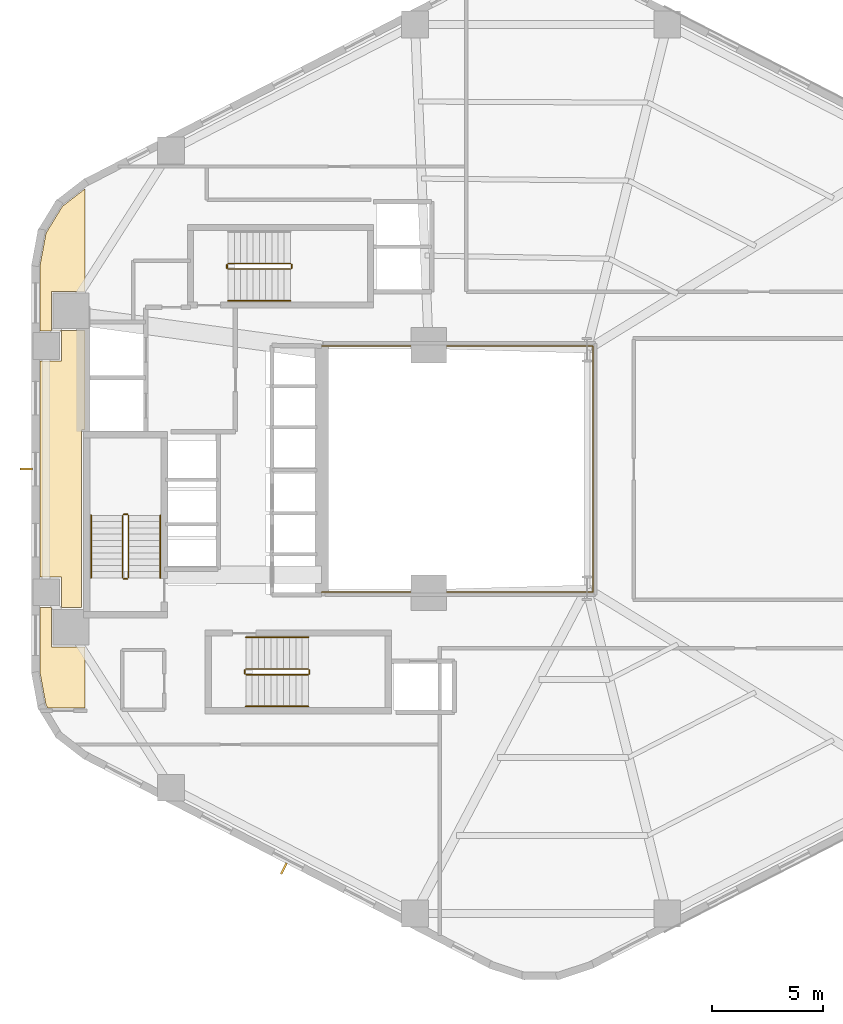
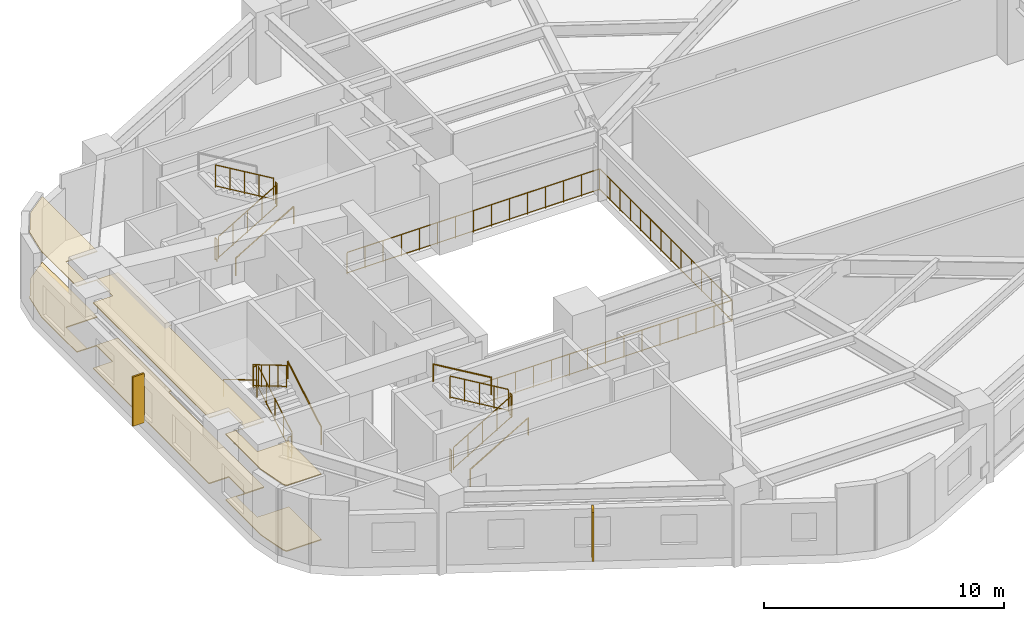
# One storey, part 6 of 7: 18 railings, 2 coverings, 2 shading devices.
"""IFC4 building model written with IfcOpenShell, lengths in metres."""

from ifc_helpers import new_model, si_unit, direction, frame, origin, origin_2d, place, context, subcontext, project, spatial, polyline, rectangle, circle, outline, extrude, material, layer, layer_set, type_object, element, save


model = new_model("IFC4")

# Units and contexts
model_context = context("Model", 3, precision=1e-05, world=origin(), true_north=direction((0.0, 1.0)))
body_context = subcontext(model_context, "Body", "Model", "MODEL_VIEW")
ifc_project = project(units=[si_unit("LENGTHUNIT", "METRE"), si_unit("AREAUNIT", "SQUARE_METRE"), si_unit("VOLUMEUNIT", "CUBIC_METRE"), si_unit("PLANEANGLEUNIT", "RADIAN"), si_unit("MASSUNIT", "GRAM", prefix="KILO"), si_unit("THERMODYNAMICTEMPERATUREUNIT", "KELVIN"), si_unit("POWERUNIT", "WATT")], contexts=[model_context])

# Site, building, storey
site_placement = place(None, origin())
site = spatial("IfcSite", under=ifc_project, at=site_placement, CompositionType="ELEMENT")
building_placement = place(site_placement, origin())
building = spatial("IfcBuilding", under=site, at=building_placement, Name="Skarre Station Tower", CompositionType="ELEMENT")
storey_placement = place(building_placement, frame((0.0, 0.0, 27.0)))
storey = spatial("IfcBuildingStorey", under=building, at=storey_placement, Name="L06", CompositionType="ELEMENT", Elevation=27.0)

# Railing
ifc_material_1 = material(Name="Bronze Anodized Steel & Laminated Glass Balustrade", Category="steel")
railing_type_1 = type_object("IfcRailingType", Name="Atrium Void & Mezzanine Guard Balustrade 1120", PredefinedType="GUARDRAIL", material=ifc_material_1)
railing_1_placement = place(storey_placement, frame((27.550048828125, 18.47998046875, 0.0)))
element("IfcRailing", 1, at=railing_1_placement, inside=storey, type_object=railing_type_1, Name="L06 Atrium Void Guard Balustrade", PredefinedType="GUARDRAIL", context=body_context, shape_type="SweptSolid", body=[
    extrude(circle(Radius=0.02392578125, at=origin_2d()), frame((0.0, 0.0, 1.09619140625), z_axis=(1.0, 0.0, 0.0), x_axis=(0.0, 1.0, 0.0)), (0.0, 0.0, 1.0), 12.169921875),
    extrude(circle(Radius=0.02099609375, at=origin_2d()), frame((0.0, 0.0, 0.06005859375), z_axis=(1.0, 0.0, 0.0), x_axis=(0.0, 1.0, 0.0)), (0.0, 0.0, 1.0), 12.169921875),
    extrude(circle(Radius=0.02392578125, at=origin_2d()), frame((12.169921875, 0.0, 1.09619140625), z_axis=(0.0, 1.0, 0.0), x_axis=(-1.0, 0.0, 0.0)), (0.0, 0.0, 1.0), 11.0400390625),
    extrude(circle(Radius=0.02099609375, at=origin_2d()), frame((12.169921875, 0.0, 0.06005859375), z_axis=(0.0, 1.0, 0.0), x_axis=(-1.0, 0.0, 0.0)), (0.0, 0.0, 1.0), 11.0400390625),
    extrude(circle(Radius=0.02392578125, at=origin_2d()), frame((12.169921875, 11.0400390625, 1.09619140625), z_axis=(-1.0, 0.0, 0.0), x_axis=(0.0, -1.0, 0.0)), (0.0, 0.0, 1.0), 12.169921875),
    extrude(circle(Radius=0.02099609375, at=origin_2d()), frame((12.169921875, 11.0400390625, 0.06005859375), z_axis=(-1.0, 0.0, 0.0), x_axis=(0.0, -1.0, 0.0)), (0.0, 0.0, 1.0), 12.169921875),
    extrude(circle(Radius=0.02099609375, at=origin_2d()), origin(), (0.0, 0.0, 1.0), 1.072021484375),
    extrude(circle(Radius=0.02099609375, at=origin_2d()), frame((0.869384765625, 0.0, 0.0)), (0.0, 0.0, 1.0), 1.072021484375),
    extrude(circle(Radius=0.02099609375, at=origin_2d()), frame((1.738525390625, 0.0, 0.0)), (0.0, 0.0, 1.0), 1.072021484375),
    extrude(circle(Radius=0.02099609375, at=origin_2d()), frame((2.60791015625, 0.0, 0.0)), (0.0, 0.0, 1.0), 1.072021484375),
    extrude(circle(Radius=0.02099609375, at=origin_2d()), frame((3.47705078125, 0.0, 0.0)), (0.0, 0.0, 1.0), 1.072021484375),
    extrude(circle(Radius=0.02099609375, at=origin_2d()), frame((4.346435546875, 0.0, 0.0)), (0.0, 0.0, 1.0), 1.072021484375),
    extrude(circle(Radius=0.02099609375, at=origin_2d()), frame((5.215576171875, 0.0, 0.0)), (0.0, 0.0, 1.0), 1.072021484375),
    extrude(circle(Radius=0.02099609375, at=origin_2d()), frame((6.0849609375, 0.0, 0.0)), (0.0, 0.0, 1.0), 1.072021484375),
    extrude(circle(Radius=0.02099609375, at=origin_2d()), frame((6.954345703125, 0.0, 0.0)), (0.0, 0.0, 1.0), 1.072021484375),
    extrude(circle(Radius=0.02099609375, at=origin_2d()), frame((7.823486328125, 0.0, 0.0)), (0.0, 0.0, 1.0), 1.072021484375),
    extrude(circle(Radius=0.02099609375, at=origin_2d()), frame((8.69287109375, 0.0, 0.0)), (0.0, 0.0, 1.0), 1.072021484375),
    extrude(circle(Radius=0.02099609375, at=origin_2d()), frame((9.56201171875, 0.0, 0.0)), (0.0, 0.0, 1.0), 1.072021484375),
    extrude(circle(Radius=0.02099609375, at=origin_2d()), frame((10.431396484375, 0.0, 0.0)), (0.0, 0.0, 1.0), 1.072021484375),
    extrude(circle(Radius=0.02099609375, at=origin_2d()), frame((11.300537109375, 0.0, 0.0)), (0.0, 0.0, 1.0), 1.072021484375),
    extrude(circle(Radius=0.02099609375, at=origin_2d()), frame((12.169921875, 0.0, 0.0)), (0.0, 0.0, 1.0), 1.072021484375),
    extrude(circle(Radius=0.02099609375, at=origin_2d()), frame((12.169921875, 0.84912109375, 0.0)), (0.0, 0.0, 1.0), 1.072021484375),
    extrude(circle(Radius=0.02099609375, at=origin_2d()), frame((12.169921875, 1.698486328125, 0.0)), (0.0, 0.0, 1.0), 1.072021484375),
    extrude(circle(Radius=0.02099609375, at=origin_2d()), frame((12.169921875, 2.547607421875, 0.0)), (0.0, 0.0, 1.0), 1.072021484375),
    extrude(circle(Radius=0.02099609375, at=origin_2d()), frame((12.169921875, 3.39697265625, 0.0)), (0.0, 0.0, 1.0), 1.072021484375),
    extrude(circle(Radius=0.02099609375, at=origin_2d()), frame((12.169921875, 4.24609375, 0.0)), (0.0, 0.0, 1.0), 1.072021484375),
    extrude(circle(Radius=0.02099609375, at=origin_2d()), frame((12.169921875, 5.095458984375, 0.0)), (0.0, 0.0, 1.0), 1.072021484375),
    extrude(circle(Radius=0.02099609375, at=origin_2d()), frame((12.169921875, 5.944580078125, 0.0)), (0.0, 0.0, 1.0), 1.072021484375),
    extrude(circle(Radius=0.02099609375, at=origin_2d()), frame((12.169921875, 6.7939453125, 0.0)), (0.0, 0.0, 1.0), 1.072021484375),
    extrude(circle(Radius=0.02099609375, at=origin_2d()), frame((12.169921875, 7.64306640625, 0.0)), (0.0, 0.0, 1.0), 1.072021484375),
    extrude(circle(Radius=0.02099609375, at=origin_2d()), frame((12.169921875, 8.492431640625, 0.0)), (0.0, 0.0, 1.0), 1.072021484375),
    extrude(circle(Radius=0.02099609375, at=origin_2d()), frame((12.169921875, 9.341552734375, 0.0)), (0.0, 0.0, 1.0), 1.072021484375),
    extrude(circle(Radius=0.02099609375, at=origin_2d()), frame((12.169921875, 10.19091796875, 0.0)), (0.0, 0.0, 1.0), 1.072021484375),
    extrude(circle(Radius=0.02099609375, at=origin_2d()), frame((12.169921875, 11.0400390625, 0.0)), (0.0, 0.0, 1.0), 1.072021484375),
    extrude(circle(Radius=0.02099609375, at=origin_2d()), frame((11.300537109375, 11.0400390625, 0.0)), (0.0, 0.0, 1.0), 1.072021484375),
    extrude(circle(Radius=0.02099609375, at=origin_2d()), frame((10.431396484375, 11.0400390625, 0.0)), (0.0, 0.0, 1.0), 1.072021484375),
    extrude(circle(Radius=0.02099609375, at=origin_2d()), frame((9.56201171875, 11.0400390625, 0.0)), (0.0, 0.0, 1.0), 1.072021484375),
    extrude(circle(Radius=0.02099609375, at=origin_2d()), frame((8.69287109375, 11.0400390625, 0.0)), (0.0, 0.0, 1.0), 1.072021484375),
    extrude(circle(Radius=0.02099609375, at=origin_2d()), frame((7.823486328125, 11.0400390625, 0.0)), (0.0, 0.0, 1.0), 1.072021484375),
    extrude(circle(Radius=0.02099609375, at=origin_2d()), frame((6.954345703125, 11.0400390625, 0.0)), (0.0, 0.0, 1.0), 1.072021484375),
    extrude(circle(Radius=0.02099609375, at=origin_2d()), frame((6.0849609375, 11.0400390625, 0.0)), (0.0, 0.0, 1.0), 1.072021484375),
    extrude(circle(Radius=0.02099609375, at=origin_2d()), frame((5.215576171875, 11.0400390625, 0.0)), (0.0, 0.0, 1.0), 1.072021484375),
    extrude(circle(Radius=0.02099609375, at=origin_2d()), frame((4.346435546875, 11.0400390625, 0.0)), (0.0, 0.0, 1.0), 1.072021484375),
    extrude(circle(Radius=0.02099609375, at=origin_2d()), frame((3.47705078125, 11.0400390625, 0.0)), (0.0, 0.0, 1.0), 1.072021484375),
    extrude(circle(Radius=0.02099609375, at=origin_2d()), frame((2.60791015625, 11.0400390625, 0.0)), (0.0, 0.0, 1.0), 1.072021484375),
    extrude(circle(Radius=0.02099609375, at=origin_2d()), frame((1.738525390625, 11.0400390625, 0.0)), (0.0, 0.0, 1.0), 1.072021484375),
    extrude(circle(Radius=0.02099609375, at=origin_2d()), frame((0.869384765625, 11.0400390625, 0.0)), (0.0, 0.0, 1.0), 1.072021484375),
    extrude(circle(Radius=0.02099609375, at=origin_2d()), frame((0.0, 11.0400390625, 0.0)), (0.0, 0.0, 1.0), 1.072021484375),
])

# Coverings
ifc_material_2 = material(Name="Honed Jura Limestone & Calcium-Sulfate Access Tile", Category="masonry")
ifc_layer_1 = layer(ifc_material_2, 0.050048828125, Name="Honed Jura Limestone & Calcium-Sulfate Access Tile")
ifc_layer_set_1 = layer_set([ifc_layer_1], Name="Honed Jura Limestone & Calcium-Sulfate Access Tile")
covering_type_1 = type_object("IfcCoveringType", Name="Honed Limestone & Raised Access Floor Finish 50", PredefinedType="FLOORING", material=ifc_layer_set_1)
covering_1_placement = place(storey_placement, origin())
element("IfcCovering", 2, at=covering_1_placement, inside=storey, type_object=covering_type_1, Name="L06 Limestone Access Flooring 1", PredefinedType="FLOORING", context=body_context, shape_type="SweptSolid", body=[
    extrude(outline(polyline([(16.93994140625, 36.583984375), (15.910888671875, 35.787109375), (15.178955078125, 34.5859375), (14.9169921875, 33.1669921875), (14.9169921875, 30.200927734375), (15.866943359375, 30.200927734375), (15.866943359375, 28.841064453125), (14.9169921875, 28.841064453125), (14.9169921875, 19.158935546875), (15.866943359375, 19.158935546875), (15.866943359375, 17.799072265625), (14.9169921875, 17.799072265625), (14.9169921875, 14.8330078125), (15.178955078125, 13.4140625), (15.260986328125, 13.280029296875), (16.93994140625, 13.280029296875), (16.93994140625, 16.02001953125), (15.419921875, 16.02001953125), (15.419921875, 17.780029296875), (16.77001953125, 17.780029296875), (16.77001953125, 25.699951171875), (16.77001953125, 25.7080078125), (16.77197265625, 25.716064453125), (16.77294921875, 25.722900390625), (16.77587890625, 25.73095703125), (16.779052734375, 25.738037109375), (16.782958984375, 25.743896484375), (16.7880859375, 25.7509765625), (16.79296875, 25.757080078125), (16.799072265625, 25.761962890625), (16.805908203125, 25.76708984375), (16.81201171875, 25.77099609375), (16.819091796875, 25.77392578125), (16.826904296875, 25.777099609375), (16.833984375, 25.778076171875), (16.842041015625, 25.780029296875), (16.85009765625, 25.780029296875), (16.919921875, 25.780029296875), (16.919921875, 30.219970703125), (15.419921875, 30.219970703125), (15.419921875, 31.97998046875), (16.93994140625, 31.97998046875), (16.93994140625, 36.583984375)])), origin(), (0.0, 0.0, 1.0), 0.050048828125),
])
ifc_material_3 = material(Name="Perforated Nordic Birch Veneer & Mineral Wool", Category="wood")
ifc_layer_2 = layer(ifc_material_3, 0.044921875, Name="Perforated Nordic Birch Veneer & Mineral Wool")
ifc_layer_set_2 = layer_set([ifc_layer_2], Name="Perforated Nordic Birch Veneer & Mineral Wool")
covering_type_2 = type_object("IfcCoveringType", Name="Nordic Birch Slatted Acoustic Suspended Ceiling 45", PredefinedType="CEILING", material=ifc_layer_set_2)
covering_2_placement = place(storey_placement, frame((0.0, 0.0, 3.344970703125)))
element("IfcCovering", 3, at=covering_2_placement, inside=storey, type_object=covering_type_2, Name="L06 Acoustic Birch Ceiling 1", PredefinedType="CEILING", context=body_context, shape_type="SweptSolid", body=[
    extrude(outline(polyline([(16.93994140625, 36.583984375), (15.910888671875, 35.787109375), (15.178955078125, 34.5859375), (14.9169921875, 33.1669921875), (14.9169921875, 30.200927734375), (15.866943359375, 30.200927734375), (15.866943359375, 28.841064453125), (14.9169921875, 28.841064453125), (14.9169921875, 19.158935546875), (15.866943359375, 19.158935546875), (15.866943359375, 17.799072265625), (14.9169921875, 17.799072265625), (14.9169921875, 14.8330078125), (15.178955078125, 13.4140625), (15.260986328125, 13.280029296875), (16.93994140625, 13.280029296875), (16.93994140625, 16.02001953125), (15.419921875, 16.02001953125), (15.419921875, 17.780029296875), (16.77001953125, 17.780029296875), (16.77001953125, 25.699951171875), (16.77001953125, 25.7080078125), (16.77197265625, 25.716064453125), (16.77294921875, 25.722900390625), (16.77587890625, 25.73095703125), (16.779052734375, 25.738037109375), (16.782958984375, 25.743896484375), (16.7880859375, 25.7509765625), (16.79296875, 25.757080078125), (16.799072265625, 25.761962890625), (16.805908203125, 25.76708984375), (16.81201171875, 25.77099609375), (16.819091796875, 25.77392578125), (16.826904296875, 25.777099609375), (16.833984375, 25.778076171875), (16.842041015625, 25.780029296875), (16.85009765625, 25.780029296875), (16.919921875, 25.780029296875), (16.919921875, 30.219970703125), (15.419921875, 30.219970703125), (15.419921875, 31.97998046875), (16.93994140625, 31.97998046875), (16.93994140625, 36.583984375)])), origin(), (0.0, 0.0, 1.0), 0.044921875),
])

# Shading devices
ifc_material_4 = material(Name="Bronze Anodized Extruded Aluminium 6063-T6", Category="aluminium")
shading_device_type = type_object("IfcShadingDeviceType", Name="Nordic Bronze Vertical Solar Fin 550x90", PredefinedType="SHUTTER", material=ifc_material_4)
for number, where, z_axis, x_axis, name in (
    (4, (14.287109375, 24.0, 0.35009765625), (0.0, 0.0, 1.0), (-1.0, 0.0, 0.0), "L06 Facet 2 Bronze Solar Fin"),
    (5, (25.85400390625, 6.077880859375, 0.35009765625), (0.0, 0.0, 1.0), (-0.458618535612, -0.888633242003, 0.0), "L06 Facet 3 Bronze Solar Fin"),
):
    element("IfcShadingDevice", number, at=place(storey_placement, frame(where, z_axis=z_axis, x_axis=x_axis)), inside=storey, type_object=shading_device_type, Name=name, PredefinedType="SHUTTER", context=body_context, shape_type="SweptSolid", body=[
        extrude(rectangle(XDim=0.550048828125, YDim=0.090087890625, at=origin_2d()), origin(), (0.0, 0.0, 1.0), 2.5),
    ])

# Railings
ifc_material_5 = material(Name="Powder-Coated Tubular Steel", Category="steel")
railing_type_2 = type_object("IfcRailingType", Name="Painted Steel Ramp & Stair Handrail 920", PredefinedType="HANDRAIL", material=ifc_material_5)
railing_2_placement = place(storey_placement, frame((20.300048828125, 19.1201171875, 0.166015625)))
element("IfcRailing", 6, at=railing_2_placement, inside=storey, type_object=railing_type_2, Name="L06 ST-1 stair handrail 1", PredefinedType="HANDRAIL", context=body_context, shape_type="SweptSolid", body=[
    extrude(circle(Radius=0.02392578125, at=origin_2d()), frame((0.0, 0.0, 0.8759765625), z_axis=(0.0, 0.860319559791, 0.509755093197), x_axis=(-1.0, 0.0, 0.0)), (0.0, 0.0, 1.0), 3.25439453125),
    extrude(circle(Radius=0.02099609375, at=origin_2d()), origin(), (0.0, 0.0, 1.0), 0.851806640625),
    extrude(circle(Radius=0.02099609375, at=origin_2d()), frame((0.0, 2.7998046875, 1.658935546875)), (0.0, 0.0, 1.0), 0.851806640625),
])
railing_3_placement = place(storey_placement, frame((17.199951171875, 21.919921875, 1.990966796875)))
element("IfcRailing", 7, at=railing_3_placement, inside=storey, type_object=railing_type_2, Name="L06 ST-1 stair handrail 2", PredefinedType="HANDRAIL", context=body_context, shape_type="SweptSolid", body=[
    extrude(circle(Radius=0.02392578125, at=origin_2d()), frame((0.0, 0.0, 0.8759765625), z_axis=(0.0, -0.860319559791, 0.509755093197), x_axis=(1.0, 0.0, 0.0)), (0.0, 0.0, 1.0), 3.25439453125),
    extrude(circle(Radius=0.02099609375, at=origin_2d()), origin(), (0.0, 0.0, 1.0), 0.851806640625),
    extrude(circle(Radius=0.02099609375, at=origin_2d()), frame((0.0, -2.7998046875, 1.658935546875)), (0.0, 0.0, 1.0), 0.851806640625),
])
railing_4_placement = place(storey_placement, frame((24.14990234375, 13.35009765625, 0.166015625)))
element("IfcRailing", 8, at=railing_4_placement, inside=storey, type_object=railing_type_2, Name="L06 ST-2 stair handrail 1", PredefinedType="HANDRAIL", context=body_context, shape_type="SweptSolid", body=[
    extrude(circle(Radius=0.02392578125, at=origin_2d()), frame((0.0, 0.0, 0.8759765625), z_axis=(0.860339051648, 0.0, 0.50972219513), x_axis=(0.0, 1.0, 0.0)), (0.0, 0.0, 1.0), 3.254638671875),
    extrude(circle(Radius=0.02099609375, at=origin_2d()), origin(), (0.0, 0.0, 1.0), 0.851806640625),
    extrude(circle(Radius=0.02099609375, at=origin_2d()), frame((2.800048828125, 0.0, 1.658935546875)), (0.0, 0.0, 1.0), 0.851806640625),
])
railing_5_placement = place(storey_placement, frame((26.949951171875, 16.449951171875, 1.990966796875)))
element("IfcRailing", 9, at=railing_5_placement, inside=storey, type_object=railing_type_2, Name="L06 ST-2 stair handrail 2", PredefinedType="HANDRAIL", context=body_context, shape_type="SweptSolid", body=[
    extrude(circle(Radius=0.02392578125, at=origin_2d()), frame((0.0, 0.0, 0.8759765625), z_axis=(-0.860339051648, 0.0, 0.50972219513), x_axis=(0.0, -1.0, 0.0)), (0.0, 0.0, 1.0), 3.254638671875),
    extrude(circle(Radius=0.02099609375, at=origin_2d()), origin(), (0.0, 0.0, 1.0), 0.851806640625),
    extrude(circle(Radius=0.02099609375, at=origin_2d()), frame((-2.800048828125, 0.0, 1.658935546875)), (0.0, 0.0, 1.0), 0.851806640625),
])
railing_6_placement = place(storey_placement, frame((23.35009765625, 31.550048828125, 0.166015625)))
element("IfcRailing", 10, at=railing_6_placement, inside=storey, type_object=railing_type_2, Name="L06 ST-3 stair handrail 1", PredefinedType="HANDRAIL", context=body_context, shape_type="SweptSolid", body=[
    extrude(circle(Radius=0.02392578125, at=origin_2d()), frame((0.0, 0.0, 0.8759765625), z_axis=(0.860319559791, 0.0, 0.509755093197), x_axis=(0.0, 1.0, 0.0)), (0.0, 0.0, 1.0), 3.25439453125),
    extrude(circle(Radius=0.02099609375, at=origin_2d()), origin(), (0.0, 0.0, 1.0), 0.851806640625),
    extrude(circle(Radius=0.02099609375, at=origin_2d()), frame((2.7998046875, 0.0, 1.658935546875)), (0.0, 0.0, 1.0), 0.851806640625),
])
railing_type_3 = type_object("IfcRailingType", Name="Painted Steel Stairwell Guardrail 1100", PredefinedType="GUARDRAIL", material=ifc_material_5)
railing_7_placement = place(storey_placement, frame((18.8798828125, 19.1201171875, 0.166015625)))
element("IfcRailing", 11, at=railing_7_placement, inside=storey, type_object=railing_type_3, Name="L06 ST-1 stair guard 1", PredefinedType="GUARDRAIL", context=body_context, shape_type="SweptSolid", body=[
    extrude(circle(Radius=0.02392578125, at=origin_2d()), frame((0.0, 0.0, 1.1259765625), z_axis=(0.0, 0.860319559791, 0.509755093197), x_axis=(-1.0, 0.0, 0.0)), (0.0, 0.0, 1.0), 3.25439453125),
    extrude(circle(Radius=0.02099609375, at=origin_2d()), frame((0.0, 0.0, 0.06005859375), z_axis=(0.0, 0.860319559791, 0.509755093197), x_axis=(-1.0, 0.0, 0.0)), (0.0, 0.0, 1.0), 3.25439453125),
    extrude(circle(Radius=0.02099609375, at=origin_2d()), origin(), (0.0, 0.0, 1.0), 1.101806640625),
    extrude(circle(Radius=0.02099609375, at=origin_2d()), frame((0.0, 0.699951171875, 0.414794921875)), (0.0, 0.0, 1.0), 1.101806640625),
    extrude(circle(Radius=0.02099609375, at=origin_2d()), frame((0.0, 1.39990234375, 0.82958984375)), (0.0, 0.0, 1.0), 1.101806640625),
    extrude(circle(Radius=0.02099609375, at=origin_2d()), frame((0.0, 2.099853515625, 1.244140625)), (0.0, 0.0, 1.0), 1.101806640625),
    extrude(circle(Radius=0.02099609375, at=origin_2d()), frame((0.0, 2.7998046875, 1.658935546875)), (0.0, 0.0, 1.0), 1.101806640625),
])
railing_8_placement = place(storey_placement, frame((18.830078125, 21.969970703125, 1.824951171875)))
element("IfcRailing", 12, at=railing_8_placement, inside=storey, type_object=railing_type_3, Name="L06 ST-1 stair guard 2", PredefinedType="GUARDRAIL", context=body_context, shape_type="SweptSolid", body=[
    extrude(circle(Radius=0.02392578125, at=origin_2d()), frame((0.0, 0.0, 1.1259765625), z_axis=(-1.0, 0.0, 0.0), x_axis=(0.0, -1.0, 0.0)), (0.0, 0.0, 1.0), 0.16015625),
    extrude(circle(Radius=0.02099609375, at=origin_2d()), frame((0.0, 0.0, 0.06005859375), z_axis=(-1.0, 0.0, 0.0), x_axis=(0.0, -1.0, 0.0)), (0.0, 0.0, 1.0), 0.16015625),
    extrude(circle(Radius=0.02099609375, at=origin_2d()), origin(), (0.0, 0.0, 1.0), 1.101806640625),
    extrude(circle(Radius=0.02099609375, at=origin_2d()), frame((-0.16015625, 0.0, 0.0)), (0.0, 0.0, 1.0), 1.101806640625),
])
railing_9_placement = place(storey_placement, frame((18.6201171875, 21.919921875, 1.990966796875)))
element("IfcRailing", 13, at=railing_9_placement, inside=storey, type_object=railing_type_3, Name="L06 ST-1 stair guard 3", PredefinedType="GUARDRAIL", context=body_context, shape_type="SweptSolid", body=[
    extrude(circle(Radius=0.02392578125, at=origin_2d()), frame((0.0, 0.0, 1.1259765625), z_axis=(0.0, -0.860319559791, 0.509755093197), x_axis=(1.0, 0.0, 0.0)), (0.0, 0.0, 1.0), 3.25439453125),
    extrude(circle(Radius=0.02099609375, at=origin_2d()), frame((0.0, 0.0, 0.06005859375), z_axis=(0.0, -0.860319559791, 0.509755093197), x_axis=(1.0, 0.0, 0.0)), (0.0, 0.0, 1.0), 3.25439453125),
    extrude(circle(Radius=0.02099609375, at=origin_2d()), origin(), (0.0, 0.0, 1.0), 1.101806640625),
    extrude(circle(Radius=0.02099609375, at=origin_2d()), frame((0.0, -0.699951171875, 0.414794921875)), (0.0, 0.0, 1.0), 1.101806640625),
    extrude(circle(Radius=0.02099609375, at=origin_2d()), frame((0.0, -1.39990234375, 0.82958984375)), (0.0, 0.0, 1.0), 1.101806640625),
    extrude(circle(Radius=0.02099609375, at=origin_2d()), frame((0.0, -2.099853515625, 1.244140625)), (0.0, 0.0, 1.0), 1.101806640625),
    extrude(circle(Radius=0.02099609375, at=origin_2d()), frame((0.0, -2.7998046875, 1.658935546875)), (0.0, 0.0, 1.0), 1.101806640625),
])
railing_10_placement = place(storey_placement, frame((18.830078125, 19.070068359375, 0.0)))
element("IfcRailing", 14, at=railing_10_placement, inside=storey, type_object=railing_type_3, Name="L06 ST-1 stair guard 4", PredefinedType="GUARDRAIL", context=body_context, shape_type="SweptSolid", body=[
    extrude(circle(Radius=0.02392578125, at=origin_2d()), frame((0.0, 0.0, 1.1259765625), z_axis=(-1.0, 0.0, 0.0), x_axis=(0.0, -1.0, 0.0)), (0.0, 0.0, 1.0), 0.16015625),
    extrude(circle(Radius=0.02099609375, at=origin_2d()), frame((0.0, 0.0, 0.06005859375), z_axis=(-1.0, 0.0, 0.0), x_axis=(0.0, -1.0, 0.0)), (0.0, 0.0, 1.0), 0.16015625),
    extrude(circle(Radius=0.02099609375, at=origin_2d()), origin(), (0.0, 0.0, 1.0), 1.101806640625),
    extrude(circle(Radius=0.02099609375, at=origin_2d()), frame((-0.16015625, 0.0, 0.0)), (0.0, 0.0, 1.0), 1.101806640625),
])
railing_11_placement = place(storey_placement, frame((24.14990234375, 14.77001953125, 0.166015625)))
element("IfcRailing", 15, at=railing_11_placement, inside=storey, type_object=railing_type_3, Name="L06 ST-2 stair guard 1", PredefinedType="GUARDRAIL", context=body_context, shape_type="SweptSolid", body=[
    extrude(circle(Radius=0.02392578125, at=origin_2d()), frame((0.0, 0.0, 1.1259765625), z_axis=(0.860339051648, 0.0, 0.50972219513), x_axis=(0.0, 1.0, 0.0)), (0.0, 0.0, 1.0), 3.254638671875),
    extrude(circle(Radius=0.02099609375, at=origin_2d()), frame((0.0, 0.0, 0.06005859375), z_axis=(0.860339051648, 0.0, 0.50972219513), x_axis=(0.0, 1.0, 0.0)), (0.0, 0.0, 1.0), 3.254638671875),
    extrude(circle(Radius=0.02099609375, at=origin_2d()), origin(), (0.0, 0.0, 1.0), 1.101806640625),
    extrude(circle(Radius=0.02099609375, at=origin_2d()), frame((0.699951171875, 0.0, 0.414794921875)), (0.0, 0.0, 1.0), 1.101806640625),
    extrude(circle(Radius=0.02099609375, at=origin_2d()), frame((1.39990234375, 0.0, 0.82958984375)), (0.0, 0.0, 1.0), 1.101806640625),
    extrude(circle(Radius=0.02099609375, at=origin_2d()), frame((2.10009765625, 0.0, 1.244140625)), (0.0, 0.0, 1.0), 1.101806640625),
    extrude(circle(Radius=0.02099609375, at=origin_2d()), frame((2.800048828125, 0.0, 1.658935546875)), (0.0, 0.0, 1.0), 1.101806640625),
])
railing_12_placement = place(storey_placement, frame((27.0, 14.820068359375, 1.824951171875)))
element("IfcRailing", 16, at=railing_12_placement, inside=storey, type_object=railing_type_3, Name="L06 ST-2 stair guard 2", PredefinedType="GUARDRAIL", context=body_context, shape_type="SweptSolid", body=[
    extrude(circle(Radius=0.02392578125, at=origin_2d()), frame((0.0, 0.0, 1.1259765625), z_axis=(0.0, 1.0, 0.0), x_axis=(-1.0, 0.0, 0.0)), (0.0, 0.0, 1.0), 0.159912109375),
    extrude(circle(Radius=0.02099609375, at=origin_2d()), frame((0.0, 0.0, 0.06005859375), z_axis=(0.0, 1.0, 0.0), x_axis=(-1.0, 0.0, 0.0)), (0.0, 0.0, 1.0), 0.159912109375),
    extrude(circle(Radius=0.02099609375, at=origin_2d()), origin(), (0.0, 0.0, 1.0), 1.101806640625),
    extrude(circle(Radius=0.02099609375, at=origin_2d()), frame((0.0, 0.159912109375, 0.0)), (0.0, 0.0, 1.0), 1.101806640625),
])
railing_13_placement = place(storey_placement, frame((26.949951171875, 15.030029296875, 1.990966796875)))
element("IfcRailing", 17, at=railing_13_placement, inside=storey, type_object=railing_type_3, Name="L06 ST-2 stair guard 3", PredefinedType="GUARDRAIL", context=body_context, shape_type="SweptSolid", body=[
    extrude(circle(Radius=0.02392578125, at=origin_2d()), frame((0.0, 0.0, 1.1259765625), z_axis=(-0.860339051648, 0.0, 0.50972219513), x_axis=(0.0, -1.0, 0.0)), (0.0, 0.0, 1.0), 3.254638671875),
    extrude(circle(Radius=0.02099609375, at=origin_2d()), frame((0.0, 0.0, 0.06005859375), z_axis=(-0.860339051648, 0.0, 0.50972219513), x_axis=(0.0, -1.0, 0.0)), (0.0, 0.0, 1.0), 3.254638671875),
    extrude(circle(Radius=0.02099609375, at=origin_2d()), origin(), (0.0, 0.0, 1.0), 1.101806640625),
    extrude(circle(Radius=0.02099609375, at=origin_2d()), frame((-0.699951171875, 0.0, 0.414794921875)), (0.0, 0.0, 1.0), 1.101806640625),
    extrude(circle(Radius=0.02099609375, at=origin_2d()), frame((-1.39990234375, 0.0, 0.82958984375)), (0.0, 0.0, 1.0), 1.101806640625),
    extrude(circle(Radius=0.02099609375, at=origin_2d()), frame((-2.10009765625, 0.0, 1.244140625)), (0.0, 0.0, 1.0), 1.101806640625),
    extrude(circle(Radius=0.02099609375, at=origin_2d()), frame((-2.800048828125, 0.0, 1.658935546875)), (0.0, 0.0, 1.0), 1.101806640625),
])
railing_14_placement = place(storey_placement, frame((24.10009765625, 14.820068359375, 0.0)))
element("IfcRailing", 18, at=railing_14_placement, inside=storey, type_object=railing_type_3, Name="L06 ST-2 stair guard 4", PredefinedType="GUARDRAIL", context=body_context, shape_type="SweptSolid", body=[
    extrude(circle(Radius=0.02392578125, at=origin_2d()), frame((0.0, 0.0, 1.1259765625), z_axis=(0.0, 1.0, 0.0), x_axis=(-1.0, 0.0, 0.0)), (0.0, 0.0, 1.0), 0.159912109375),
    extrude(circle(Radius=0.02099609375, at=origin_2d()), frame((0.0, 0.0, 0.06005859375), z_axis=(0.0, 1.0, 0.0), x_axis=(-1.0, 0.0, 0.0)), (0.0, 0.0, 1.0), 0.159912109375),
    extrude(circle(Radius=0.02099609375, at=origin_2d()), origin(), (0.0, 0.0, 1.0), 1.101806640625),
    extrude(circle(Radius=0.02099609375, at=origin_2d()), frame((0.0, 0.159912109375, 0.0)), (0.0, 0.0, 1.0), 1.101806640625),
])
railing_15_placement = place(storey_placement, frame((23.35009765625, 32.969970703125, 0.166015625)))
element("IfcRailing", 19, at=railing_15_placement, inside=storey, type_object=railing_type_3, Name="L06 ST-3 stair guard 1", PredefinedType="GUARDRAIL", context=body_context, shape_type="SweptSolid", body=[
    extrude(circle(Radius=0.02392578125, at=origin_2d()), frame((0.0, 0.0, 1.1259765625), z_axis=(0.860319559791, 0.0, 0.509755093197), x_axis=(0.0, 1.0, 0.0)), (0.0, 0.0, 1.0), 3.25439453125),
    extrude(circle(Radius=0.02099609375, at=origin_2d()), frame((0.0, 0.0, 0.06005859375), z_axis=(0.860319559791, 0.0, 0.509755093197), x_axis=(0.0, 1.0, 0.0)), (0.0, 0.0, 1.0), 3.25439453125),
    extrude(circle(Radius=0.02099609375, at=origin_2d()), origin(), (0.0, 0.0, 1.0), 1.101806640625),
    extrude(circle(Radius=0.02099609375, at=origin_2d()), frame((0.699951171875, 0.0, 0.414794921875)), (0.0, 0.0, 1.0), 1.101806640625),
    extrude(circle(Radius=0.02099609375, at=origin_2d()), frame((1.39990234375, 0.0, 0.82958984375)), (0.0, 0.0, 1.0), 1.101806640625),
    extrude(circle(Radius=0.02099609375, at=origin_2d()), frame((2.099853515625, 0.0, 1.244140625)), (0.0, 0.0, 1.0), 1.101806640625),
    extrude(circle(Radius=0.02099609375, at=origin_2d()), frame((2.7998046875, 0.0, 1.658935546875)), (0.0, 0.0, 1.0), 1.101806640625),
])
railing_16_placement = place(storey_placement, frame((26.199951171875, 33.02001953125, 1.824951171875)))
element("IfcRailing", 20, at=railing_16_placement, inside=storey, type_object=railing_type_3, Name="L06 ST-3 stair guard 2", PredefinedType="GUARDRAIL", context=body_context, shape_type="SweptSolid", body=[
    extrude(circle(Radius=0.02392578125, at=origin_2d()), frame((0.0, 0.0, 1.1259765625), z_axis=(0.0, 1.0, 0.0), x_axis=(-1.0, 0.0, 0.0)), (0.0, 0.0, 1.0), 0.159912109375),
    extrude(circle(Radius=0.02099609375, at=origin_2d()), frame((0.0, 0.0, 0.06005859375), z_axis=(0.0, 1.0, 0.0), x_axis=(-1.0, 0.0, 0.0)), (0.0, 0.0, 1.0), 0.159912109375),
    extrude(circle(Radius=0.02099609375, at=origin_2d()), origin(), (0.0, 0.0, 1.0), 1.101806640625),
    extrude(circle(Radius=0.02099609375, at=origin_2d()), frame((0.0, 0.159912109375, 0.0)), (0.0, 0.0, 1.0), 1.101806640625),
])
railing_17_placement = place(storey_placement, frame((26.14990234375, 33.22998046875, 1.990966796875)))
element("IfcRailing", 21, at=railing_17_placement, inside=storey, type_object=railing_type_3, Name="L06 ST-3 stair guard 3", PredefinedType="GUARDRAIL", context=body_context, shape_type="SweptSolid", body=[
    extrude(circle(Radius=0.02392578125, at=origin_2d()), frame((0.0, 0.0, 1.1259765625), z_axis=(-0.860319559791, 0.0, 0.509755093197), x_axis=(0.0, -1.0, 0.0)), (0.0, 0.0, 1.0), 3.25439453125),
    extrude(circle(Radius=0.02099609375, at=origin_2d()), frame((0.0, 0.0, 0.06005859375), z_axis=(-0.860319559791, 0.0, 0.509755093197), x_axis=(0.0, -1.0, 0.0)), (0.0, 0.0, 1.0), 3.25439453125),
    extrude(circle(Radius=0.02099609375, at=origin_2d()), origin(), (0.0, 0.0, 1.0), 1.101806640625),
    extrude(circle(Radius=0.02099609375, at=origin_2d()), frame((-0.699951171875, 0.0, 0.414794921875)), (0.0, 0.0, 1.0), 1.101806640625),
    extrude(circle(Radius=0.02099609375, at=origin_2d()), frame((-1.39990234375, 0.0, 0.82958984375)), (0.0, 0.0, 1.0), 1.101806640625),
    extrude(circle(Radius=0.02099609375, at=origin_2d()), frame((-2.099853515625, 0.0, 1.244140625)), (0.0, 0.0, 1.0), 1.101806640625),
    extrude(circle(Radius=0.02099609375, at=origin_2d()), frame((-2.7998046875, 0.0, 1.658935546875)), (0.0, 0.0, 1.0), 1.101806640625),
])
railing_18_placement = place(storey_placement, frame((23.300048828125, 33.02001953125, 0.0)))
element("IfcRailing", 22, at=railing_18_placement, inside=storey, type_object=railing_type_3, Name="L06 ST-3 stair guard 4", PredefinedType="GUARDRAIL", context=body_context, shape_type="SweptSolid", body=[
    extrude(circle(Radius=0.02392578125, at=origin_2d()), frame((0.0, 0.0, 1.1259765625), z_axis=(0.0, 1.0, 0.0), x_axis=(-1.0, 0.0, 0.0)), (0.0, 0.0, 1.0), 0.159912109375),
    extrude(circle(Radius=0.02099609375, at=origin_2d()), frame((0.0, 0.0, 0.06005859375), z_axis=(0.0, 1.0, 0.0), x_axis=(-1.0, 0.0, 0.0)), (0.0, 0.0, 1.0), 0.159912109375),
    extrude(circle(Radius=0.02099609375, at=origin_2d()), origin(), (0.0, 0.0, 1.0), 1.101806640625),
    extrude(circle(Radius=0.02099609375, at=origin_2d()), frame((0.0, 0.159912109375, 0.0)), (0.0, 0.0, 1.0), 1.101806640625),
])

save(model, "model.ifc")
